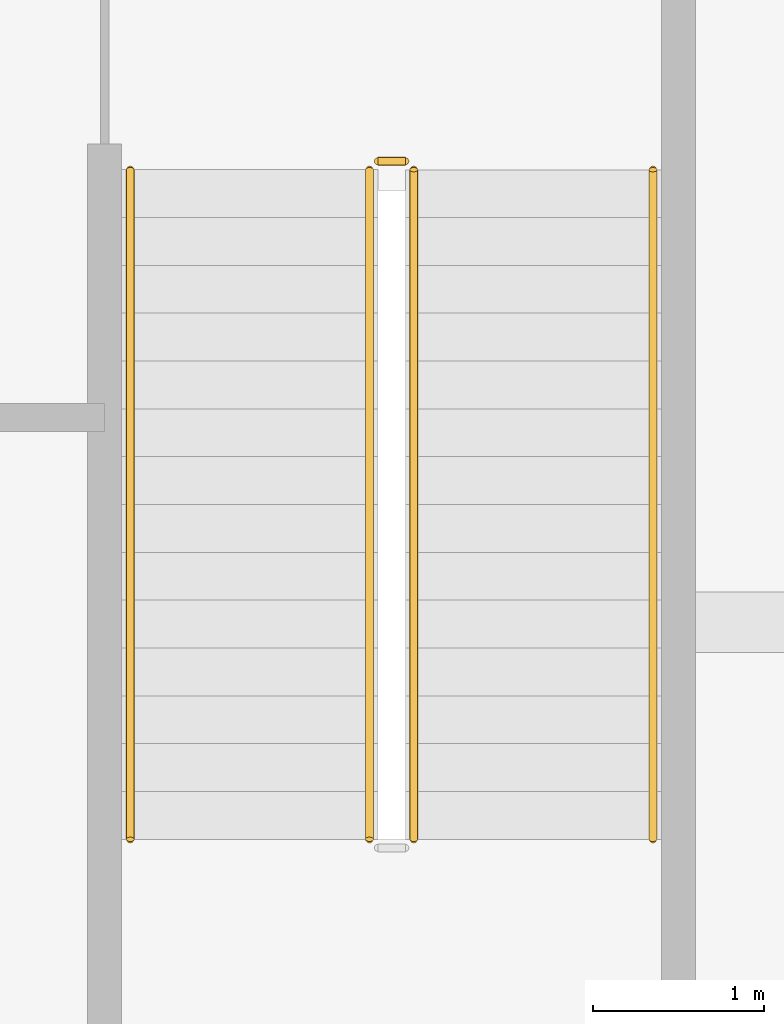
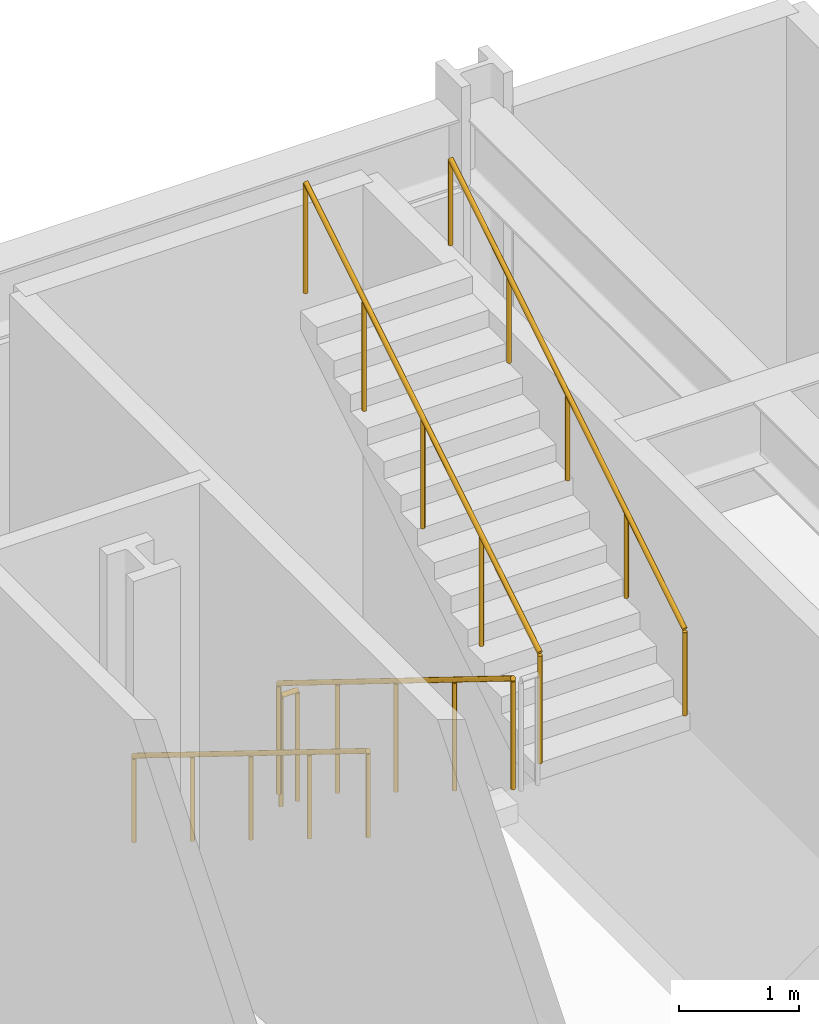
# One storey, part 20 of 20: 5 railings.
"""IFC4 building model written with IfcOpenShell, lengths in metres."""

from ifc_helpers import new_model, si_unit, direction, frame, origin, origin_2d, place, context, subcontext, project, spatial, circle, extrude, material, type_object, element, save


model = new_model("IFC4")

# Units and contexts
model_context = context("Model", 3, precision=1e-05, world=origin(), true_north=direction((0.0, 1.0)))
body_context = subcontext(model_context, "Body", "Model", "MODEL_VIEW")
ifc_project = project(units=[si_unit("LENGTHUNIT", "METRE"), si_unit("AREAUNIT", "SQUARE_METRE"), si_unit("VOLUMEUNIT", "CUBIC_METRE"), si_unit("PLANEANGLEUNIT", "RADIAN"), si_unit("MASSUNIT", "GRAM", prefix="KILO")], contexts=[model_context])

# Site, building, storey
site_placement = place(None, origin())
site = spatial("IfcSite", under=ifc_project, at=site_placement, CompositionType="ELEMENT")
building_placement = place(site_placement, origin())
building = spatial("IfcBuilding", under=site, at=building_placement, Name="Drelvath Grand Hotel", CompositionType="ELEMENT")
storey_placement = place(building_placement, frame((0.0, 0.0, 5.60009765625)))
storey = spatial("IfcBuildingStorey", under=building, at=storey_placement, Name="L01", CompositionType="ELEMENT", Elevation=5.60009765625)

# Railings
ifc_material = material(Name="Painted Steel S275", Category="steel")
railing_type_1 = type_object("IfcRailingType", Name="Core Stair Wall Handrail 900", PredefinedType="HANDRAIL", material=ifc_material)
railing_1_placement = place(storey_placement, frame((28.469970703125, 51.85009765625, 0.17333984375)))
element("IfcRailing", 1, at=railing_1_placement, inside=storey, type_object=railing_type_1, Name="L01 ST-4 stair handrail 1", PredefinedType="HANDRAIL", context=body_context, shape_type="SweptSolid", body=[
    extrude(circle(Radius=0.02392578125, at=origin_2d()), frame((0.0, 0.0, 0.8759765625), z_axis=(0.0, -0.850289973577, 0.526314507528), x_axis=(1.0, 0.0, 0.0)), (0.0, 0.0, 1.0), 4.6103515625),
    extrude(circle(Radius=0.02099609375, at=origin_2d()), origin(), (0.0, 0.0, 1.0), 0.851806640625),
    extrude(circle(Radius=0.02099609375, at=origin_2d()), frame((0.0, -0.97998046875, 0.606689453125)), (0.0, 0.0, 1.0), 0.851806640625),
    extrude(circle(Radius=0.02099609375, at=origin_2d()), frame((0.0, -1.9599609375, 1.21337890625)), (0.0, 0.0, 1.0), 0.851806640625),
    extrude(circle(Radius=0.02099609375, at=origin_2d()), frame((0.0, -2.940185546875, 1.81982421875)), (0.0, 0.0, 1.0), 0.851806640625),
    extrude(circle(Radius=0.02099609375, at=origin_2d()), frame((0.0, -3.920166015625, 2.426513671875)), (0.0, 0.0, 1.0), 0.851806640625),
])
railing_2_placement = place(storey_placement, frame((31.530029296875, 47.929931640625, 2.773193359375)))
element("IfcRailing", 2, at=railing_2_placement, inside=storey, type_object=railing_type_1, Name="L01 ST-4 stair handrail 2", PredefinedType="HANDRAIL", context=body_context, shape_type="SweptSolid", body=[
    extrude(circle(Radius=0.02392578125, at=origin_2d()), frame((0.0, 0.0, 0.8759765625), z_axis=(0.0, 0.850266275192, 0.526352791643), x_axis=(-1.0, 0.0, 0.0)), (0.0, 0.0, 1.0), 4.610595703125),
    extrude(circle(Radius=0.02099609375, at=origin_2d()), origin(), (0.0, 0.0, 1.0), 0.851806640625),
    extrude(circle(Radius=0.02099609375, at=origin_2d()), frame((0.0, 0.97998046875, 0.606689453125)), (0.0, 0.0, 1.0), 0.851806640625),
    extrude(circle(Radius=0.02099609375, at=origin_2d()), frame((0.0, 1.9599609375, 1.21337890625)), (0.0, 0.0, 1.0), 0.851806640625),
    extrude(circle(Radius=0.02099609375, at=origin_2d()), frame((0.0, 2.940185546875, 1.820068359375)), (0.0, 0.0, 1.0), 0.851806640625),
    extrude(circle(Radius=0.02099609375, at=origin_2d()), frame((0.0, 3.920166015625, 2.4267578125)), (0.0, 0.0, 1.0), 0.851806640625),
])
railing_type_2 = type_object("IfcRailingType", Name="Core Stair Well Guardrail 1100", PredefinedType="GUARDRAIL", material=ifc_material)
railing_3_placement = place(storey_placement, frame((29.8701171875, 51.85009765625, 0.17333984375)))
element("IfcRailing", 3, at=railing_3_placement, inside=storey, type_object=railing_type_2, Name="L01 ST-4 stair guard 1", PredefinedType="GUARDRAIL", context=body_context, shape_type="SweptSolid", body=[
    extrude(circle(Radius=0.02392578125, at=origin_2d()), frame((0.0, 0.0, 1.1259765625), z_axis=(0.0, -0.850289973577, 0.526314507528), x_axis=(1.0, 0.0, 0.0)), (0.0, 0.0, 1.0), 4.6103515625),
    extrude(circle(Radius=0.02099609375, at=origin_2d()), origin(), (0.0, 0.0, 1.0), 1.101806640625),
    extrude(circle(Radius=0.02099609375, at=origin_2d()), frame((0.0, -0.97998046875, 0.606689453125)), (0.0, 0.0, 1.0), 1.101806640625),
    extrude(circle(Radius=0.02099609375, at=origin_2d()), frame((0.0, -1.9599609375, 1.21337890625)), (0.0, 0.0, 1.0), 1.101806640625),
    extrude(circle(Radius=0.02099609375, at=origin_2d()), frame((0.0, -2.940185546875, 1.81982421875)), (0.0, 0.0, 1.0), 1.101806640625),
    extrude(circle(Radius=0.02099609375, at=origin_2d()), frame((0.0, -3.920166015625, 2.426513671875)), (0.0, 0.0, 1.0), 1.101806640625),
])
railing_4_placement = place(storey_placement, frame((30.1298828125, 47.929931640625, 2.773193359375)))
element("IfcRailing", 4, at=railing_4_placement, inside=storey, type_object=railing_type_2, Name="L01 ST-4 stair guard 3", PredefinedType="GUARDRAIL", context=body_context, shape_type="SweptSolid", body=[
    extrude(circle(Radius=0.02392578125, at=origin_2d()), frame((0.0, 0.0, 1.1259765625), z_axis=(0.0, 0.850266275192, 0.526352791643), x_axis=(-1.0, 0.0, 0.0)), (0.0, 0.0, 1.0), 4.610595703125),
    extrude(circle(Radius=0.02099609375, at=origin_2d()), origin(), (0.0, 0.0, 1.0), 1.101806640625),
    extrude(circle(Radius=0.02099609375, at=origin_2d()), frame((0.0, 0.97998046875, 0.606689453125)), (0.0, 0.0, 1.0), 1.101806640625),
    extrude(circle(Radius=0.02099609375, at=origin_2d()), frame((0.0, 1.9599609375, 1.21337890625)), (0.0, 0.0, 1.0), 1.101806640625),
    extrude(circle(Radius=0.02099609375, at=origin_2d()), frame((0.0, 2.940185546875, 1.820068359375)), (0.0, 0.0, 1.0), 1.101806640625),
    extrude(circle(Radius=0.02099609375, at=origin_2d()), frame((0.0, 3.920166015625, 2.4267578125)), (0.0, 0.0, 1.0), 1.101806640625),
])
railing_5_placement = place(storey_placement, frame((29.919921875, 51.89990234375, 0.0)))
element("IfcRailing", 5, at=railing_5_placement, inside=storey, type_object=railing_type_2, Name="L01 ST-4 stair guard 4", PredefinedType="GUARDRAIL", context=body_context, shape_type="SweptSolid", body=[
    extrude(circle(Radius=0.02392578125, at=origin_2d()), frame((0.0, 0.0, 1.1259765625), z_axis=(1.0, 0.0, 0.0), x_axis=(0.0, 1.0, 0.0)), (0.0, 0.0, 1.0), 0.16015625),
    extrude(circle(Radius=0.02099609375, at=origin_2d()), origin(), (0.0, 0.0, 1.0), 1.101806640625),
    extrude(circle(Radius=0.02099609375, at=origin_2d()), frame((0.16015625, 0.0, 0.0)), (0.0, 0.0, 1.0), 1.101806640625),
])

save(model, "model.ifc")
